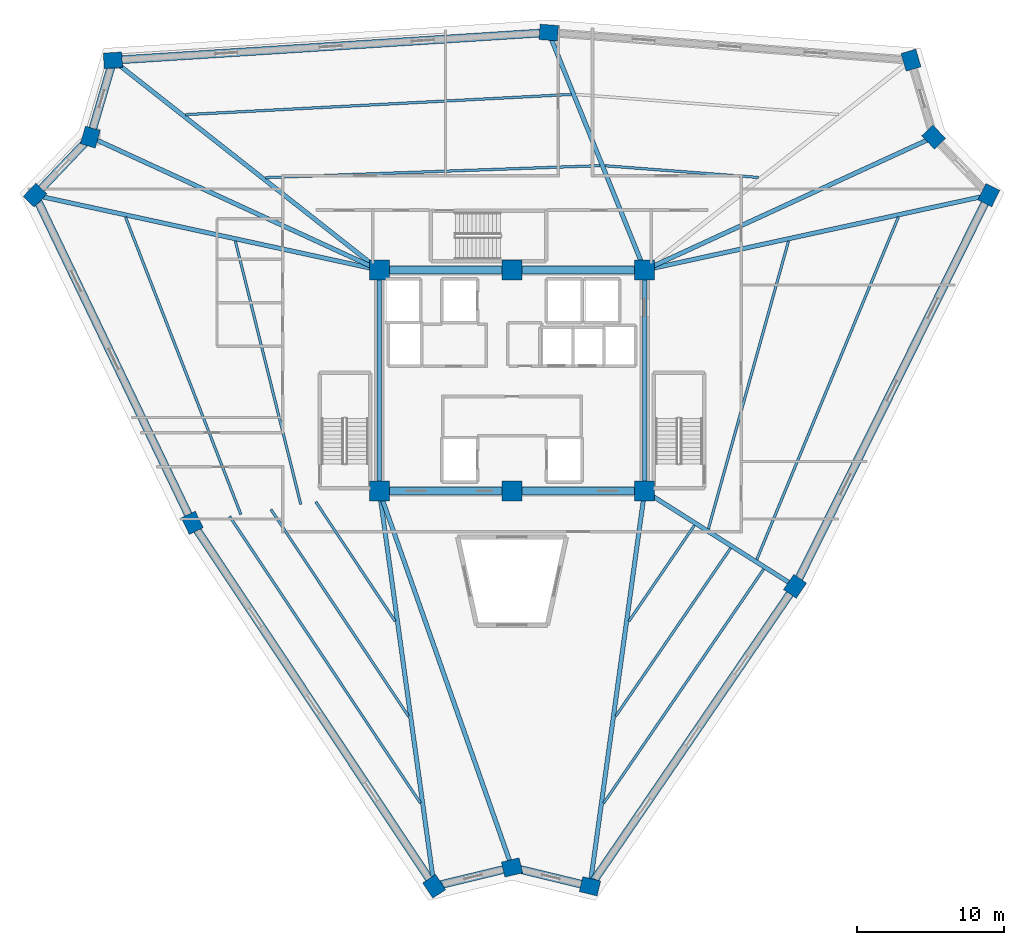
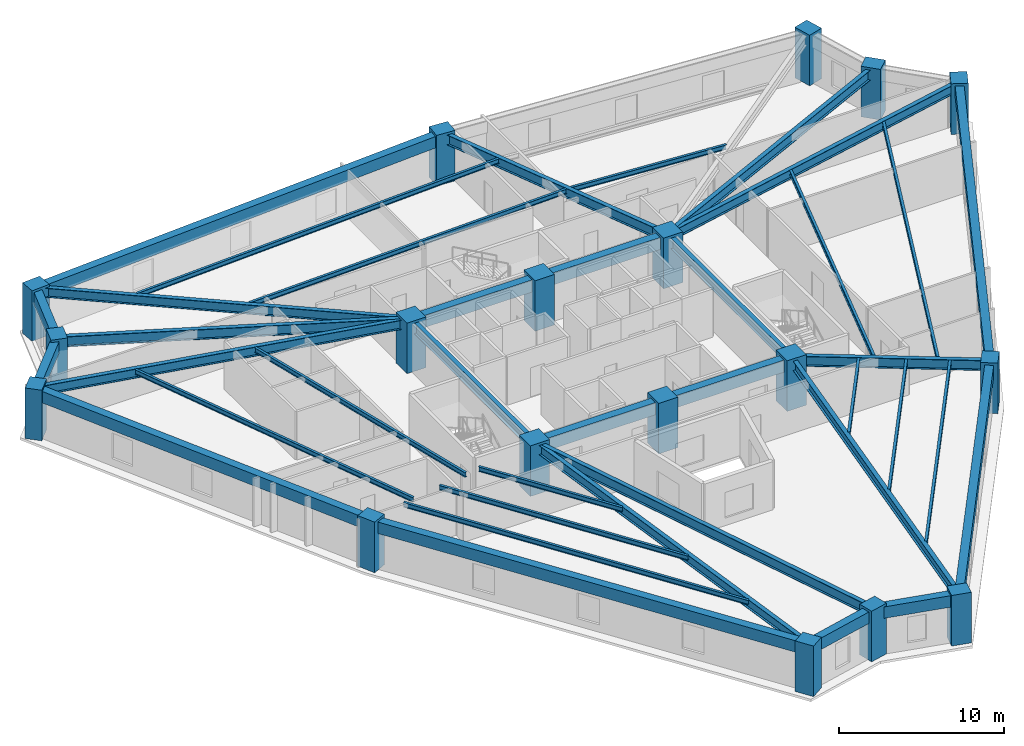
# One storey, part 1 of 9: 38 beams, 18 columns.
"""IFC4 building model written with IfcOpenShell, lengths in metres."""

from ifc_helpers import new_model, si_unit, direction, frame, origin, origin_2d, place, context, subcontext, project, spatial, rectangle, i_section, extrude, source, transform, mapped, material, material_profile, profile_set, type_object, element, save


model = new_model("IFC4")

# Units and contexts
model_context = context("Model", 3, precision=1e-05, world=origin(), true_north=direction((0.0, 1.0)))
body_context = subcontext(model_context, "Body", "Model", "MODEL_VIEW")
ifc_project = project(units=[si_unit("LENGTHUNIT", "METRE"), si_unit("AREAUNIT", "SQUARE_METRE"), si_unit("VOLUMEUNIT", "CUBIC_METRE"), si_unit("PLANEANGLEUNIT", "RADIAN"), si_unit("MASSUNIT", "GRAM", prefix="KILO")], contexts=[model_context])

# Site, building, storey
site_placement = place(None, origin())
site = spatial("IfcSite", under=ifc_project, at=site_placement, CompositionType="ELEMENT")
building_placement = place(site_placement, origin())
building = spatial("IfcBuilding", under=site, at=building_placement, Name="Liaohun Quay Tower", CompositionType="ELEMENT")
storey_placement = place(building_placement, frame((0.0, 0.0, 236.25)))
storey = spatial("IfcBuildingStorey", under=building, at=storey_placement, Name="L61", CompositionType="ELEMENT", Elevation=236.25)

# Columns
ifc_material_1 = material(Name="Concrete C55", Category="concrete")
ifc_material_profile_1 = material_profile(ifc_material_1, rectangle(XDim=1.35009765625, YDim=1.35009765625, at=origin_2d()), Name="RC1350x1350")
ifc_profile_set_1 = profile_set([ifc_material_profile_1], Name="Concrete C55")
column_type_1 = type_object("IfcColumnType", Name="COL-CC-Z3", PredefinedType="COLUMN", material=ifc_profile_set_1)
shared_shape_1 = source(origin(), body_context, "Body", "SweptSolid", [
    extrude(rectangle(XDim=1.35009765625, YDim=1.35009765625, at=origin_2d()), origin(), (0.0, 0.0, 1.0), 3.75),
])
for number, where, z_axis, x_axis, name in (
    (1, (51.0, 46.5, 0.0), (0.0, 0.0, 1.0), (1.0, 0.0, 0.0), "L61 Core Column CC1"),
    (2, (60.0, 46.5, 0.0), (0.0, 0.0, 1.0), (1.0, 0.0, 0.0), "L61 Core Column CC2"),
    (3, (69.0, 46.5, 0.0), (0.0, 0.0, 1.0), (1.0, 0.0, 0.0), "L61 Core Column CC3"),
    (4, (69.0, 61.5, 0.0), (0.0, 0.0, 1.0), (1.0, 0.0, 0.0), "L61 Core Column CC4"),
    (5, (60.0, 61.5, 0.0), (0.0, 0.0, 1.0), (1.0, 0.0, 0.0), "L61 Core Column CC5"),
    (6, (51.0, 61.5, 0.0), (0.0, 0.0, 1.0), (1.0, 0.0, 0.0), "L61 Core Column CC6"),
):
    element("IfcColumn", number, at=place(storey_placement, frame(where, z_axis=z_axis, x_axis=x_axis)), inside=storey, type_object=column_type_1, Name=name, PredefinedType="COLUMN", context=body_context, shape_type="MappedRepresentation", body=[
        mapped(shared_shape_1, transform((0.0, 0.0, 0.0), x_axis=(1.0, 0.0, 0.0), y_axis=(0.0, 1.0, 0.0), z_axis=(0.0, 0.0, 1.0), scale=1.0)),
    ])
ifc_material_profile_2 = material_profile(ifc_material_1, rectangle(XDim=1.25, YDim=1.050048828125, at=origin_2d()), Name="RC1250x1050")
ifc_profile_set_2 = profile_set([ifc_material_profile_2], Name="Concrete C55")
column_type_2 = type_object("IfcColumnType", Name="COL-PIER-Z3", PredefinedType="COLUMN", material=ifc_profile_set_2)
shared_shape_2 = source(origin(), body_context, "Body", "SweptSolid", [
    extrude(rectangle(XDim=1.25, YDim=1.050048828125, at=origin_2d()), origin(), (0.0, 0.0, 1.0), 3.75),
])
for number, where, z_axis, x_axis, name in (
    (7, (54.715087890625, 19.677001953125, 0.0), (0.0, 0.0, 1.0), (-0.55397290306, 0.83253469758, 0.0), "L61 Perimeter Pier PC01"),
    (8, (38.300048828125, 44.346923828125, 0.0), (0.0, 0.0, 1.0), (-0.43271524133, 0.9015306539, 0.0), "L61 Perimeter Pier PC02"),
    (9, (27.626953125, 66.5791015625, 0.0), (0.0, 0.0, 1.0), (0.68936671806, 0.724412539946, 0.0), "L61 Perimeter Pier PC03"),
    (10, (31.381103515625, 70.52392578125, 0.0), (0.0, 0.0, 1.0), (0.282508884416, 0.959264682049, 0.0), "L61 Perimeter Pier PC04"),
    (11, (32.9169921875, 75.738037109375, 0.0), (0.0, 0.0, 1.0), (0.997982649167, 0.063487258268, 0.0), "L61 Perimeter Pier PC05"),
    (12, (62.490966796875, 77.6201171875, 0.0), (0.0, 0.0, 1.0), (-0.997106069232, 0.076022935354, 0.0), "L61 Perimeter Pier PC06"),
    (13, (87.080078125, 75.74609375, 0.0), (0.0, 0.0, 1.0), (-0.282508884416, 0.959264682049, 0.0), "L61 Perimeter Pier PC07"),
    (14, (88.618896484375, 70.52392578125, 0.0), (0.0, 0.0, 1.0), (-0.68936671806, 0.724412539946, 0.0), "L61 Perimeter Pier PC08"),
    (15, (92.366943359375, 66.5849609375, 0.0), (0.0, 0.0, 1.0), (0.444009746106, 0.896021955849, 0.0), "L61 Perimeter Pier PC09"),
    (16, (79.2099609375, 40.033935546875, 0.0), (0.0, 0.0, 1.0), (0.564390827903, 0.825507718546, 0.0), "L61 Perimeter Pier PC10"),
    (17, (65.2919921875, 19.675048828125, 0.0), (0.0, 0.0, 1.0), (-0.972043021443, 0.234802820391, 0.0), "L61 Perimeter Pier PC11"),
    (18, (60.0, 20.952880859375, 0.0), (0.0, 0.0, 1.0), (0.972043021443, 0.234802820391, 0.0), "L61 Perimeter Pier PC12"),
):
    element("IfcColumn", number, at=place(storey_placement, frame(where, z_axis=z_axis, x_axis=x_axis)), inside=storey, type_object=column_type_2, Name=name, PredefinedType="COLUMN", context=body_context, shape_type="MappedRepresentation", body=[
        mapped(shared_shape_2, transform((0.0, 0.0, 0.0), x_axis=(1.0, 0.0, 0.0), y_axis=(0.0, 1.0, 0.0), z_axis=(0.0, 0.0, 1.0), scale=1.0)),
    ])

# Beams
ifc_material_2 = material(Name="Steel Q355D", Category="steel")
ifc_material_profile_3 = material_profile(ifc_material_2, i_section(OverallWidth=0.300048828125, OverallDepth=0.800048828125, WebThickness=0.013916015625, FlangeThickness=0.02587890625, at=origin_2d()), Name="HN800x300x14x26")
ifc_profile_set_3 = profile_set([ifc_material_profile_3], Name="Steel Q355D")
beam_type_1 = type_object("IfcBeamType", Name="BM-RAD-M1", PredefinedType="BEAM", material=ifc_profile_set_3)
shared_shape_3 = source(origin(), body_context, "Body", "SweptSolid", [
    extrude(i_section(OverallWidth=0.300048828125, OverallDepth=0.800048828125, WebThickness=0.013916015625, FlangeThickness=0.02587890625, at=origin_2d()), origin(), (0.0, 0.0, 1.0), 15.0),
])
for number, where, z_axis, x_axis, name in (
    (19, (69.0, 46.5, 3.169921875), (0.0, 1.0, 0.0), (-1.0, 0.0, 0.0), "L61 Core Coupling/Ring Beam CC3-CC4"),
    (20, (51.0, 61.5, 3.169921875), (0.0, -1.0, 0.0), (1.0, 0.0, 0.0), "L61 Core Coupling/Ring Beam CC6-CC1"),
):
    element("IfcBeam", number, at=place(storey_placement, frame(where, z_axis=z_axis, x_axis=x_axis)), inside=storey, type_object=beam_type_1, Name=name, PredefinedType="BEAM", context=body_context, shape_type="MappedRepresentation", body=[
        mapped(shared_shape_3, transform((0.0, 0.0, 0.0), x_axis=(1.0, 0.0, 0.0), y_axis=(0.0, 1.0, 0.0), z_axis=(0.0, 0.0, 1.0), scale=1.0)),
    ])
ifc_material_profile_4 = material_profile(ifc_material_1, rectangle(XDim=0.550048828125, YDim=0.89990234375, at=origin_2d()), Name="RC550x900")
ifc_profile_set_4 = profile_set([ifc_material_profile_4], Name="Concrete C55")
beam_type_2 = type_object("IfcBeamType", Name="BM-CPL-2", PredefinedType="LINTEL", material=ifc_profile_set_4)
shared_shape_4 = source(origin(), body_context, "Body", "SweptSolid", [
    extrude(rectangle(XDim=0.550048828125, YDim=0.89990234375, at=origin_2d()), origin(), (0.0, 0.0, 1.0), 9.0),
])
for number, where, z_axis, x_axis, name in (
    (21, (51.0, 46.5, 3.1201171875), (1.0, 0.0, 0.0), (0.0, 1.0, 0.0), "L61 Core Coupling/Ring Beam CC1-CC2"),
    (22, (60.0, 46.5, 3.1201171875), (1.0, 0.0, 0.0), (0.0, 1.0, 0.0), "L61 Core Coupling/Ring Beam CC2-CC3"),
    (23, (69.0, 61.5, 3.1201171875), (-1.0, 0.0, 0.0), (0.0, -1.0, 0.0), "L61 Core Coupling/Ring Beam CC4-CC5"),
    (24, (60.0, 61.5, 3.1201171875), (-1.0, 0.0, 0.0), (0.0, -1.0, 0.0), "L61 Core Coupling/Ring Beam CC5-CC6"),
):
    element("IfcBeam", number, at=place(storey_placement, frame(where, z_axis=z_axis, x_axis=x_axis)), inside=storey, type_object=beam_type_2, Name=name, PredefinedType="LINTEL", context=body_context, shape_type="MappedRepresentation", body=[
        mapped(shared_shape_4, transform((0.0, 0.0, 0.0), x_axis=(1.0, 0.0, 0.0), y_axis=(0.0, 1.0, 0.0), z_axis=(0.0, 0.0, 1.0), scale=1.0)),
    ])
ifc_material_profile_5 = material_profile(ifc_material_2, i_section(OverallWidth=0.300048828125, OverallDepth=0.699951171875, WebThickness=0.012939453125, FlangeThickness=0.02392578125, at=origin_2d()), Name="HN700x300x13x24")
ifc_profile_set_5 = profile_set([ifc_material_profile_5], Name="Steel Q355D")
beam_type_3 = type_object("IfcBeamType", Name="BM-RAD-U1", PredefinedType="BEAM", material=ifc_profile_set_5)
shared_shape_5 = source(origin(), body_context, "Body", "SweptSolid", [
    extrude(i_section(OverallWidth=0.300048828125, OverallDepth=0.699951171875, WebThickness=0.012939453125, FlangeThickness=0.02392578125, at=origin_2d()), origin(), (0.0, 0.0, 1.0), 27.0791015625),
])
beam_1_placement = place(storey_placement, frame((51.0, 46.5, 3.219970703125), z_axis=(0.137194159402, -0.990544175, 0.0), x_axis=(0.990544175, 0.137194159402, 0.0)))
element("IfcBeam", 25, at=beam_1_placement, inside=storey, type_object=beam_type_3, Name="L61 Radial Primary Girder CC1-PC01", PredefinedType="BEAM", context=body_context, shape_type="MappedRepresentation", body=[
    mapped(shared_shape_5, transform((0.0, 0.0, 0.0), x_axis=(1.0, 0.0, 0.0), y_axis=(0.0, 1.0, 0.0), z_axis=(0.0, 0.0, 1.0), scale=1.0)),
])
shared_shape_6 = source(origin(), body_context, "Body", "SweptSolid", [
    extrude(i_section(OverallWidth=0.300048828125, OverallDepth=0.699951171875, WebThickness=0.012939453125, FlangeThickness=0.02392578125, at=origin_2d()), origin(), (0.0, 0.0, 1.0), 23.91845703125),
])
beam_2_placement = place(storey_placement, frame((51.0, 61.5, 3.219970703125), z_axis=(-0.977193679701, 0.212349976106, 0.0), x_axis=(-0.212349976106, -0.977193679701, 0.0)))
element("IfcBeam", 26, at=beam_2_placement, inside=storey, type_object=beam_type_3, Name="L61 Radial Primary Girder CC6-PC03", PredefinedType="BEAM", context=body_context, shape_type="MappedRepresentation", body=[
    mapped(shared_shape_6, transform((0.0, 0.0, 0.0), x_axis=(1.0, 0.0, 0.0), y_axis=(0.0, 1.0, 0.0), z_axis=(0.0, 0.0, 1.0), scale=1.0)),
])
ifc_material_profile_6 = material_profile(ifc_material_2, i_section(OverallWidth=0.300048828125, OverallDepth=0.75, WebThickness=0.013916015625, FlangeThickness=0.02587890625, at=origin_2d()), Name="HN750x300x14x26")
ifc_profile_set_6 = profile_set([ifc_material_profile_6], Name="Steel Q355D")
beam_type_4 = type_object("IfcBeamType", Name="BM-RAD-M2", PredefinedType="BEAM", material=ifc_profile_set_6)
shared_shape_7 = source(origin(), body_context, "Body", "SweptSolid", [
    extrude(i_section(OverallWidth=0.300048828125, OverallDepth=0.75, WebThickness=0.013916015625, FlangeThickness=0.02587890625, at=origin_2d()), origin(), (0.0, 0.0, 1.0), 21.5947265625),
])
for number, where, z_axis, x_axis, name in (
    (27, (51.0, 61.5, 3.195068359375), (-0.908503930052, 0.417876308349, 0.0), (-0.417876308349, -0.908503930052, 0.0), "L61 Radial Primary Girder CC6-PC04"),
    (28, (69.0, 61.5, 3.195068359375), (0.908503930052, 0.417876308349, 0.0), (-0.417876308349, 0.908503930052, 0.0), "L61 Radial Primary Girder CC4-PC08"),
):
    element("IfcBeam", number, at=place(storey_placement, frame(where, z_axis=z_axis, x_axis=x_axis)), inside=storey, type_object=beam_type_4, Name=name, PredefinedType="BEAM", context=body_context, shape_type="MappedRepresentation", body=[
        mapped(shared_shape_7, transform((0.0, 0.0, 0.0), x_axis=(1.0, 0.0, 0.0), y_axis=(0.0, 1.0, 0.0), z_axis=(0.0, 0.0, 1.0), scale=1.0)),
    ])
shared_shape_8 = source(origin(), body_context, "Body", "SweptSolid", [
    extrude(i_section(OverallWidth=0.300048828125, OverallDepth=0.699951171875, WebThickness=0.012939453125, FlangeThickness=0.02392578125, at=origin_2d()), origin(), (0.0, 0.0, 1.0), 23.015625),
])
beam_3_placement = place(storey_placement, frame((51.0, 61.5, 3.219970703125), z_axis=(-0.785685551866, 0.618626069278, 0.0), x_axis=(-0.618626069278, -0.785685551866, 0.0)))
element("IfcBeam", 29, at=beam_3_placement, inside=storey, type_object=beam_type_3, Name="L61 Radial Primary Girder CC6-PC05", PredefinedType="BEAM", context=body_context, shape_type="MappedRepresentation", body=[
    mapped(shared_shape_8, transform((0.0, 0.0, 0.0), x_axis=(1.0, 0.0, 0.0), y_axis=(0.0, 1.0, 0.0), z_axis=(0.0, 0.0, 1.0), scale=1.0)),
])
shared_shape_9 = source(origin(), body_context, "Body", "SweptSolid", [
    extrude(i_section(OverallWidth=0.300048828125, OverallDepth=0.75, WebThickness=0.013916015625, FlangeThickness=0.02587890625, at=origin_2d()), origin(), (0.0, 0.0, 1.0), 17.384521484375),
])
beam_4_placement = place(storey_placement, frame((69.0, 61.5, 3.195068359375), z_axis=(-0.374412894449, 0.927262090495, 0.0), x_axis=(-0.927262090495, -0.374412894449, 0.0)))
element("IfcBeam", 30, at=beam_4_placement, inside=storey, type_object=beam_type_4, Name="L61 Radial Primary Girder CC4-PC06", PredefinedType="BEAM", context=body_context, shape_type="MappedRepresentation", body=[
    mapped(shared_shape_9, transform((0.0, 0.0, 0.0), x_axis=(1.0, 0.0, 0.0), y_axis=(0.0, 1.0, 0.0), z_axis=(0.0, 0.0, 1.0), scale=1.0)),
])
shared_shape_10 = source(origin(), body_context, "Body", "SweptSolid", [
    extrude(i_section(OverallWidth=0.300048828125, OverallDepth=0.699951171875, WebThickness=0.012939453125, FlangeThickness=0.02392578125, at=origin_2d()), origin(), (0.0, 0.0, 1.0), 23.913818359375),
])
beam_5_placement = place(storey_placement, frame((69.0, 61.5, 3.219970703125), z_axis=(0.977131285161, 0.212636900746, 0.0), x_axis=(-0.212636900746, 0.977131285161, 0.0)))
element("IfcBeam", 31, at=beam_5_placement, inside=storey, type_object=beam_type_3, Name="L61 Radial Primary Girder CC4-PC09", PredefinedType="BEAM", context=body_context, shape_type="MappedRepresentation", body=[
    mapped(shared_shape_10, transform((0.0, 0.0, 0.0), x_axis=(1.0, 0.0, 0.0), y_axis=(0.0, 1.0, 0.0), z_axis=(0.0, 0.0, 1.0), scale=1.0)),
])
shared_shape_11 = source(origin(), body_context, "Body", "SweptSolid", [
    extrude(i_section(OverallWidth=0.300048828125, OverallDepth=0.75, WebThickness=0.013916015625, FlangeThickness=0.02587890625, at=origin_2d()), origin(), (0.0, 0.0, 1.0), 12.085205078125),
])
beam_6_placement = place(storey_placement, frame((69.0, 46.5, 3.195068359375), z_axis=(0.844828206974, -0.535037662881, 0.0), x_axis=(0.535037662881, 0.844828206974, 0.0)))
element("IfcBeam", 32, at=beam_6_placement, inside=storey, type_object=beam_type_4, Name="L61 Radial Primary Girder CC3-PC10", PredefinedType="BEAM", context=body_context, shape_type="MappedRepresentation", body=[
    mapped(shared_shape_11, transform((0.0, 0.0, 0.0), x_axis=(1.0, 0.0, 0.0), y_axis=(0.0, 1.0, 0.0), z_axis=(0.0, 0.0, 1.0), scale=1.0)),
])
shared_shape_12 = source(origin(), body_context, "Body", "SweptSolid", [
    extrude(i_section(OverallWidth=0.300048828125, OverallDepth=0.699951171875, WebThickness=0.012939453125, FlangeThickness=0.02392578125, at=origin_2d()), origin(), (0.0, 0.0, 1.0), 27.080078125),
])
beam_7_placement = place(storey_placement, frame((69.0, 46.5, 3.219970703125), z_axis=(-0.136927823784, -0.990581027011, 0.0), x_axis=(0.990581027011, -0.136927823784, 0.0)))
element("IfcBeam", 33, at=beam_7_placement, inside=storey, type_object=beam_type_3, Name="L61 Radial Primary Girder CC3-PC11", PredefinedType="BEAM", context=body_context, shape_type="MappedRepresentation", body=[
    mapped(shared_shape_12, transform((0.0, 0.0, 0.0), x_axis=(1.0, 0.0, 0.0), y_axis=(0.0, 1.0, 0.0), z_axis=(0.0, 0.0, 1.0), scale=1.0)),
])
shared_shape_13 = source(origin(), body_context, "Body", "SweptSolid", [
    extrude(i_section(OverallWidth=0.300048828125, OverallDepth=0.75, WebThickness=0.013916015625, FlangeThickness=0.02587890625, at=origin_2d()), origin(), (0.0, 0.0, 1.0), 27.086181640625),
])
beam_8_placement = place(storey_placement, frame((51.0, 46.5, 3.195068359375), z_axis=(0.332274092752, -0.943182870543, 0.0), x_axis=(0.943182870543, 0.332274092752, 0.0)))
element("IfcBeam", 34, at=beam_8_placement, inside=storey, type_object=beam_type_4, Name="L61 Radial Primary Girder CC1-PC12", PredefinedType="BEAM", context=body_context, shape_type="MappedRepresentation", body=[
    mapped(shared_shape_13, transform((0.0, 0.0, 0.0), x_axis=(1.0, 0.0, 0.0), y_axis=(0.0, 1.0, 0.0), z_axis=(0.0, 0.0, 1.0), scale=1.0)),
])
ifc_material_profile_7 = material_profile(ifc_material_2, i_section(OverallWidth=0.175048828125, OverallDepth=0.35009765625, WebThickness=0.007080078125, FlangeThickness=0.010986328125, at=origin_2d()), Name="HN350x175x7x11")
ifc_profile_set_7 = profile_set([ifc_material_profile_7], Name="Steel Q355D")
beam_type_5 = type_object("IfcBeamType", Name="BM-SEC-J3", PredefinedType="JOIST", material=ifc_profile_set_7)
shared_shape_14 = source(origin(), body_context, "Body", "SweptSolid", [
    extrude(i_section(OverallWidth=0.175048828125, OverallDepth=0.35009765625, WebThickness=0.007080078125, FlangeThickness=0.010986328125, at=origin_2d()), origin(), (0.0, 0.0, 1.0), 9.7294921875),
])
beam_9_placement = place(storey_placement, frame((52.072021484375, 37.66796875, 3.39501953125), z_axis=(-0.553993544208, 0.832520962484, 0.0), x_axis=(-0.832520962484, -0.553993544208, 0.0)))
element("IfcBeam", 35, at=beam_9_placement, inside=storey, type_object=beam_type_5, Name="L61 Wing Secondary Floor Joist SJ-01", PredefinedType="JOIST", context=body_context, shape_type="MappedRepresentation", body=[
    mapped(shared_shape_14, transform((0.0, 0.0, 0.0), x_axis=(1.0, 0.0, 0.0), y_axis=(0.0, 1.0, 0.0), z_axis=(0.0, 0.0, 1.0), scale=1.0)),
])
shared_shape_15 = source(origin(), body_context, "Body", "SweptSolid", [
    extrude(i_section(OverallWidth=0.175048828125, OverallDepth=0.35009765625, WebThickness=0.007080078125, FlangeThickness=0.010986328125, at=origin_2d()), origin(), (0.0, 0.0, 1.0), 16.8408203125),
])
beam_10_placement = place(storey_placement, frame((52.962890625, 31.22998046875, 3.39501953125), z_axis=(-0.553940551333, 0.83255622368, 0.0), x_axis=(-0.83255622368, -0.553940551333, 0.0)))
element("IfcBeam", 36, at=beam_10_placement, inside=storey, type_object=beam_type_5, Name="L61 Wing Secondary Floor Joist SJ-02", PredefinedType="JOIST", context=body_context, shape_type="MappedRepresentation", body=[
    mapped(shared_shape_15, transform((0.0, 0.0, 0.0), x_axis=(1.0, 0.0, 0.0), y_axis=(0.0, 1.0, 0.0), z_axis=(0.0, 0.0, 1.0), scale=1.0)),
])
shared_shape_16 = source(origin(), body_context, "Body", "SweptSolid", [
    extrude(i_section(OverallWidth=0.175048828125, OverallDepth=0.35009765625, WebThickness=0.007080078125, FlangeThickness=0.010986328125, at=origin_2d()), origin(), (0.0, 0.0, 1.0), 23.36083984375),
])
beam_11_placement = place(storey_placement, frame((53.781005859375, 25.3291015625, 3.39501953125), z_axis=(-0.55395716171, 0.832545171741, 0.0), x_axis=(-0.832545171741, -0.55395716171, 0.0)))
element("IfcBeam", 37, at=beam_11_placement, inside=storey, type_object=beam_type_5, Name="L61 Wing Secondary Floor Joist SJ-03", PredefinedType="JOIST", context=body_context, shape_type="MappedRepresentation", body=[
    mapped(shared_shape_16, transform((0.0, 0.0, 0.0), x_axis=(1.0, 0.0, 0.0), y_axis=(0.0, 1.0, 0.0), z_axis=(0.0, 0.0, 1.0), scale=1.0)),
])
shared_shape_17 = source(origin(), body_context, "Body", "SweptSolid", [
    extrude(i_section(OverallWidth=0.175048828125, OverallDepth=0.35009765625, WebThickness=0.007080078125, FlangeThickness=0.010986328125, at=origin_2d()), origin(), (0.0, 0.0, 1.0), 18.418701171875),
])
beam_12_placement = place(storey_placement, frame((45.666015625, 45.595947265625, 3.39501953125), z_axis=(-0.241163090818, 0.970484602468, 0.0), x_axis=(-0.970484602468, -0.241163090818, 0.0)))
element("IfcBeam", 38, at=beam_12_placement, inside=storey, type_object=beam_type_5, Name="L61 Wing Secondary Floor Joist SJ-04", PredefinedType="JOIST", context=body_context, shape_type="MappedRepresentation", body=[
    mapped(shared_shape_17, transform((0.0, 0.0, 0.0), x_axis=(1.0, 0.0, 0.0), y_axis=(0.0, 1.0, 0.0), z_axis=(0.0, 0.0, 1.0), scale=1.0)),
])
shared_shape_18 = source(origin(), body_context, "Body", "SweptSolid", [
    extrude(i_section(OverallWidth=0.175048828125, OverallDepth=0.35009765625, WebThickness=0.007080078125, FlangeThickness=0.010986328125, at=origin_2d()), origin(), (0.0, 0.0, 1.0), 21.650634765625),
])
beam_13_placement = place(storey_placement, frame((41.60205078125, 44.906982421875, 3.39501953125), z_axis=(-0.361789906789, 0.932259654466, 0.0), x_axis=(-0.932259654466, -0.361789906789, 0.0)))
element("IfcBeam", 39, at=beam_13_placement, inside=storey, type_object=beam_type_5, Name="L61 Wing Secondary Floor Joist SJ-05", PredefinedType="JOIST", context=body_context, shape_type="MappedRepresentation", body=[
    mapped(shared_shape_18, transform((0.0, 0.0, 0.0), x_axis=(1.0, 0.0, 0.0), y_axis=(0.0, 1.0, 0.0), z_axis=(0.0, 0.0, 1.0), scale=1.0)),
])
shared_shape_19 = source(origin(), body_context, "Body", "SweptSolid", [
    extrude(i_section(OverallWidth=0.175048828125, OverallDepth=0.35009765625, WebThickness=0.007080078125, FlangeThickness=0.010986328125, at=origin_2d()), origin(), (0.0, 0.0, 1.0), 22.716796875),
])
beam_14_placement = place(storey_placement, frame((43.27490234375, 67.77294921875, 3.39501953125), z_axis=(0.999357861205, 0.035831065398, 0.0), x_axis=(-0.035831065398, 0.999357861205, 0.0)))
element("IfcBeam", 40, at=beam_14_placement, inside=storey, type_object=beam_type_5, Name="L61 Wing Secondary Floor Joist SJ-06", PredefinedType="JOIST", context=body_context, shape_type="MappedRepresentation", body=[
    mapped(shared_shape_19, transform((0.0, 0.0, 0.0), x_axis=(1.0, 0.0, 0.0), y_axis=(0.0, 1.0, 0.0), z_axis=(0.0, 0.0, 1.0), scale=1.0)),
])
shared_shape_20 = source(origin(), body_context, "Body", "SweptSolid", [
    extrude(i_section(OverallWidth=0.175048828125, OverallDepth=0.35009765625, WebThickness=0.007080078125, FlangeThickness=0.010986328125, at=origin_2d()), origin(), (0.0, 0.0, 1.0), 26.21484375),
])
beam_15_placement = place(storey_placement, frame((37.845947265625, 72.048095703125, 3.39501953125), z_axis=(0.998629843216, 0.052330070121, 0.0), x_axis=(-0.052330070121, 0.998629843216, 0.0)))
element("IfcBeam", 41, at=beam_15_placement, inside=storey, type_object=beam_type_5, Name="L61 Wing Secondary Floor Joist SJ-07", PredefinedType="JOIST", context=body_context, shape_type="MappedRepresentation", body=[
    mapped(shared_shape_20, transform((0.0, 0.0, 0.0), x_axis=(1.0, 0.0, 0.0), y_axis=(0.0, 1.0, 0.0), z_axis=(0.0, 0.0, 1.0), scale=1.0)),
])
shared_shape_21 = source(origin(), body_context, "Body", "SweptSolid", [
    extrude(i_section(OverallWidth=0.175048828125, OverallDepth=0.35009765625, WebThickness=0.007080078125, FlangeThickness=0.010986328125, at=origin_2d()), origin(), (0.0, 0.0, 1.0), 10.461181640625),
])
beam_16_placement = place(storey_placement, frame((66.302978515625, 68.580078125, 3.39501953125), z_axis=(0.997106965928, -0.076011173506, 0.0), x_axis=(0.076011173506, 0.997106965928, 0.0)))
element("IfcBeam", 42, at=beam_16_placement, inside=storey, type_object=beam_type_5, Name="L61 Wing Secondary Floor Joist SJ-08", PredefinedType="JOIST", context=body_context, shape_type="MappedRepresentation", body=[
    mapped(shared_shape_21, transform((0.0, 0.0, 0.0), x_axis=(1.0, 0.0, 0.0), y_axis=(0.0, 1.0, 0.0), z_axis=(0.0, 0.0, 1.0), scale=1.0)),
])
shared_shape_22 = source(origin(), body_context, "Body", "SweptSolid", [
    extrude(i_section(OverallWidth=0.175048828125, OverallDepth=0.35009765625, WebThickness=0.007080078125, FlangeThickness=0.010986328125, at=origin_2d()), origin(), (0.0, 0.0, 1.0), 20.27978515625),
])
beam_17_placement = place(storey_placement, frame((78.76904296875, 63.471923828125, 3.39501953125), z_axis=(-0.268195801484, -0.963364423293, 0.0), x_axis=(0.963364423293, -0.268195801484, 0.0)))
element("IfcBeam", 43, at=beam_17_placement, inside=storey, type_object=beam_type_5, Name="L61 Wing Secondary Floor Joist SJ-10", PredefinedType="JOIST", context=body_context, shape_type="MappedRepresentation", body=[
    mapped(shared_shape_22, transform((0.0, 0.0, 0.0), x_axis=(1.0, 0.0, 0.0), y_axis=(0.0, 1.0, 0.0), z_axis=(0.0, 0.0, 1.0), scale=1.0)),
])
shared_shape_23 = source(origin(), body_context, "Body", "SweptSolid", [
    extrude(i_section(OverallWidth=0.175048828125, OverallDepth=0.35009765625, WebThickness=0.007080078125, FlangeThickness=0.010986328125, at=origin_2d()), origin(), (0.0, 0.0, 1.0), 25.14599609375),
])
beam_18_placement = place(storey_placement, frame((86.221923828125, 65.093994140625, 3.39501953125), z_axis=(-0.382085939007, -0.924126796069, 0.0), x_axis=(0.924126796069, -0.382085939007, 0.0)))
element("IfcBeam", 44, at=beam_18_placement, inside=storey, type_object=beam_type_5, Name="L61 Wing Secondary Floor Joist SJ-11", PredefinedType="JOIST", context=body_context, shape_type="MappedRepresentation", body=[
    mapped(shared_shape_23, transform((0.0, 0.0, 0.0), x_axis=(1.0, 0.0, 0.0), y_axis=(0.0, 1.0, 0.0), z_axis=(0.0, 0.0, 1.0), scale=1.0)),
])
shared_shape_24 = source(origin(), body_context, "Body", "SweptSolid", [
    extrude(i_section(OverallWidth=0.175048828125, OverallDepth=0.35009765625, WebThickness=0.007080078125, FlangeThickness=0.010986328125, at=origin_2d()), origin(), (0.0, 0.0, 1.0), 7.899169921875),
])
beam_19_placement = place(storey_placement, frame((72.386962890625, 44.177978515625, 3.39501953125), z_axis=(-0.564362556206, -0.825527046893, 0.0), x_axis=(0.825527046893, -0.564362556206, 0.0)))
element("IfcBeam", 45, at=beam_19_placement, inside=storey, type_object=beam_type_5, Name="L61 Wing Secondary Floor Joist SJ-12", PredefinedType="JOIST", context=body_context, shape_type="MappedRepresentation", body=[
    mapped(shared_shape_24, transform((0.0, 0.0, 0.0), x_axis=(1.0, 0.0, 0.0), y_axis=(0.0, 1.0, 0.0), z_axis=(0.0, 0.0, 1.0), scale=1.0)),
])
shared_shape_25 = source(origin(), body_context, "Body", "SweptSolid", [
    extrude(i_section(OverallWidth=0.175048828125, OverallDepth=0.35009765625, WebThickness=0.007080078125, FlangeThickness=0.010986328125, at=origin_2d()), origin(), (0.0, 0.0, 1.0), 13.817626953125),
])
beam_20_placement = place(storey_placement, frame((74.8369140625, 42.6259765625, 3.39501953125), z_axis=(-0.564342458791, -0.825540785913, 0.0), x_axis=(0.825540785913, -0.564342458791, 0.0)))
element("IfcBeam", 46, at=beam_20_placement, inside=storey, type_object=beam_type_5, Name="L61 Wing Secondary Floor Joist SJ-13", PredefinedType="JOIST", context=body_context, shape_type="MappedRepresentation", body=[
    mapped(shared_shape_25, transform((0.0, 0.0, 0.0), x_axis=(1.0, 0.0, 0.0), y_axis=(0.0, 1.0, 0.0), z_axis=(0.0, 0.0, 1.0), scale=1.0)),
])
shared_shape_26 = source(origin(), body_context, "Body", "SweptSolid", [
    extrude(i_section(OverallWidth=0.175048828125, OverallDepth=0.35009765625, WebThickness=0.007080078125, FlangeThickness=0.010986328125, at=origin_2d()), origin(), (0.0, 0.0, 1.0), 19.242431640625),
])
beam_21_placement = place(storey_placement, frame((77.0830078125, 41.202880859375, 3.39501953125), z_axis=(-0.56438595777, -0.825511048183, 0.0), x_axis=(0.825511048183, -0.56438595777, 0.0)))
element("IfcBeam", 47, at=beam_21_placement, inside=storey, type_object=beam_type_5, Name="L61 Wing Secondary Floor Joist SJ-14", PredefinedType="JOIST", context=body_context, shape_type="MappedRepresentation", body=[
    mapped(shared_shape_26, transform((0.0, 0.0, 0.0), x_axis=(1.0, 0.0, 0.0), y_axis=(0.0, 1.0, 0.0), z_axis=(0.0, 0.0, 1.0), scale=1.0)),
])
ifc_material_3 = material(Name="Precast concrete C50", Category="concrete")
ifc_material_profile_8 = material_profile(ifc_material_3, rectangle(XDim=0.550048828125, YDim=0.85009765625, at=origin_2d()), Name="RC550x850")
ifc_profile_set_8 = profile_set([ifc_material_profile_8], Name="Precast concrete C50")
beam_type_6 = type_object("IfcBeamType", Name="BM-SPD-Z3", PredefinedType="SPANDREL", material=ifc_profile_set_8)
shared_shape_27 = source(origin(), body_context, "Body", "SweptSolid", [
    extrude(rectangle(XDim=0.550048828125, YDim=0.85009765625, at=origin_2d()), origin(), (0.0, 0.0, 1.0), 29.632080078125),
])
for number, where, z_axis, x_axis, name in (
    (48, (54.715087890625, 19.677001953125, 3.14501953125), (-0.553962264344, 0.832541776539, 0.0), (-0.832541776539, -0.553962264344, 0.0), "L61 Precast Spandrel Beam PC01-PC02"),
    (49, (92.366943359375, 66.5849609375, 3.14501953125), (-0.444010685914, -0.896021490141, 0.0), (0.896021490141, -0.444010685914, 0.0), "L61 Precast Spandrel Beam PC09-PC10"),
):
    element("IfcBeam", number, at=place(storey_placement, frame(where, z_axis=z_axis, x_axis=x_axis)), inside=storey, type_object=beam_type_6, Name=name, PredefinedType="SPANDREL", context=body_context, shape_type="MappedRepresentation", body=[
        mapped(shared_shape_27, transform((0.0, 0.0, 0.0), x_axis=(1.0, 0.0, 0.0), y_axis=(0.0, 1.0, 0.0), z_axis=(0.0, 0.0, 1.0), scale=1.0)),
    ])
shared_shape_28 = source(origin(), body_context, "Body", "SweptSolid", [
    extrude(rectangle(XDim=0.550048828125, YDim=0.85009765625, at=origin_2d()), origin(), (0.0, 0.0, 1.0), 24.661376953125),
])
beam_22_placement = place(storey_placement, frame((38.300048828125, 44.346923828125, 3.14501953125), z_axis=(-0.432785457251, 0.90149694841, 0.0), x_axis=(-0.90149694841, -0.432785457251, 0.0)))
element("IfcBeam", 50, at=beam_22_placement, inside=storey, type_object=beam_type_6, Name="L61 Precast Spandrel Beam PC02-PC03", PredefinedType="SPANDREL", context=body_context, shape_type="MappedRepresentation", body=[
    mapped(shared_shape_28, transform((0.0, 0.0, 0.0), x_axis=(1.0, 0.0, 0.0), y_axis=(0.0, 1.0, 0.0), z_axis=(0.0, 0.0, 1.0), scale=1.0)),
])
shared_shape_29 = source(origin(), body_context, "Body", "SweptSolid", [
    extrude(rectangle(XDim=0.550048828125, YDim=0.85009765625, at=origin_2d()), origin(), (0.0, 0.0, 1.0), 5.445556640625),
])
beam_23_placement = place(storey_placement, frame((27.626953125, 66.5791015625, 3.14501953125), z_axis=(0.689383092633, 0.724396957194, 0.0), x_axis=(-0.724396957194, 0.689383092633, 0.0)))
element("IfcBeam", 51, at=beam_23_placement, inside=storey, type_object=beam_type_6, Name="L61 Precast Spandrel Beam PC03-PC04", PredefinedType="SPANDREL", context=body_context, shape_type="MappedRepresentation", body=[
    mapped(shared_shape_29, transform((0.0, 0.0, 0.0), x_axis=(1.0, 0.0, 0.0), y_axis=(0.0, 1.0, 0.0), z_axis=(0.0, 0.0, 1.0), scale=1.0)),
])
shared_shape_30 = source(origin(), body_context, "Body", "SweptSolid", [
    extrude(rectangle(XDim=0.550048828125, YDim=0.85009765625, at=origin_2d()), origin(), (0.0, 0.0, 1.0), 5.435546875),
])
beam_24_placement = place(storey_placement, frame((31.381103515625, 70.52392578125, 3.14501953125), z_axis=(0.282560236182, 0.959249557169, 0.0), x_axis=(-0.959249557169, 0.282560236182, 0.0)))
element("IfcBeam", 52, at=beam_24_placement, inside=storey, type_object=beam_type_6, Name="L61 Precast Spandrel Beam PC04-PC05", PredefinedType="SPANDREL", context=body_context, shape_type="MappedRepresentation", body=[
    mapped(shared_shape_30, transform((0.0, 0.0, 0.0), x_axis=(1.0, 0.0, 0.0), y_axis=(0.0, 1.0, 0.0), z_axis=(0.0, 0.0, 1.0), scale=1.0)),
])
shared_shape_31 = source(origin(), body_context, "Body", "SweptSolid", [
    extrude(rectangle(XDim=0.550048828125, YDim=0.85009765625, at=origin_2d()), origin(), (0.0, 0.0, 1.0), 29.6337890625),
])
beam_25_placement = place(storey_placement, frame((32.9169921875, 75.738037109375, 3.14501953125), z_axis=(0.997981121998, 0.063511259912, 0.0), x_axis=(-0.063511259912, 0.997981121998, 0.0)))
element("IfcBeam", 53, at=beam_25_placement, inside=storey, type_object=beam_type_6, Name="L61 Precast Spandrel Beam PC05-PC06", PredefinedType="SPANDREL", context=body_context, shape_type="MappedRepresentation", body=[
    mapped(shared_shape_31, transform((0.0, 0.0, 0.0), x_axis=(1.0, 0.0, 0.0), y_axis=(0.0, 1.0, 0.0), z_axis=(0.0, 0.0, 1.0), scale=1.0)),
])
shared_shape_32 = source(origin(), body_context, "Body", "SweptSolid", [
    extrude(rectangle(XDim=0.550048828125, YDim=0.85009765625, at=origin_2d()), origin(), (0.0, 0.0, 1.0), 5.444091796875),
])
beam_26_placement = place(storey_placement, frame((65.2919921875, 19.675048828125, 3.14501953125), z_axis=(-0.972063158785, 0.234719439614, 0.0), x_axis=(-0.234719439614, -0.972063158785, 0.0)))
element("IfcBeam", 54, at=beam_26_placement, inside=storey, type_object=beam_type_6, Name="L61 Precast Spandrel Beam PC11-PC12", PredefinedType="SPANDREL", context=body_context, shape_type="MappedRepresentation", body=[
    mapped(shared_shape_32, transform((0.0, 0.0, 0.0), x_axis=(1.0, 0.0, 0.0), y_axis=(0.0, 1.0, 0.0), z_axis=(0.0, 0.0, 1.0), scale=1.0)),
])
shared_shape_33 = source(origin(), body_context, "Body", "SweptSolid", [
    extrude(rectangle(XDim=0.550048828125, YDim=0.85009765625, at=origin_2d()), origin(), (0.0, 0.0, 1.0), 24.66162109375),
])
beam_27_placement = place(storey_placement, frame((79.2099609375, 40.033935546875, 3.14501953125), z_axis=(-0.564358080391, -0.825530106718, 0.0), x_axis=(0.825530106718, -0.564358080391, 0.0)))
element("IfcBeam", 55, at=beam_27_placement, inside=storey, type_object=beam_type_6, Name="L61 Precast Spandrel Beam PC10-PC11", PredefinedType="SPANDREL", context=body_context, shape_type="MappedRepresentation", body=[
    mapped(shared_shape_33, transform((0.0, 0.0, 0.0), x_axis=(1.0, 0.0, 0.0), y_axis=(0.0, 1.0, 0.0), z_axis=(0.0, 0.0, 1.0), scale=1.0)),
])
shared_shape_34 = source(origin(), body_context, "Body", "SweptSolid", [
    extrude(rectangle(XDim=0.550048828125, YDim=0.85009765625, at=origin_2d()), origin(), (0.0, 0.0, 1.0), 5.436767578125),
])
beam_28_placement = place(storey_placement, frame((60.0, 20.952880859375, 3.14501953125), z_axis=(-0.972073378115, -0.234677113412, 0.0), x_axis=(0.234677113412, -0.972073378115, 0.0)))
element("IfcBeam", 56, at=beam_28_placement, inside=storey, type_object=beam_type_6, Name="L61 Precast Spandrel Beam PC12-PC01", PredefinedType="SPANDREL", context=body_context, shape_type="MappedRepresentation", body=[
    mapped(shared_shape_34, transform((0.0, 0.0, 0.0), x_axis=(1.0, 0.0, 0.0), y_axis=(0.0, 1.0, 0.0), z_axis=(0.0, 0.0, 1.0), scale=1.0)),
])

save(model, "model.ifc")
